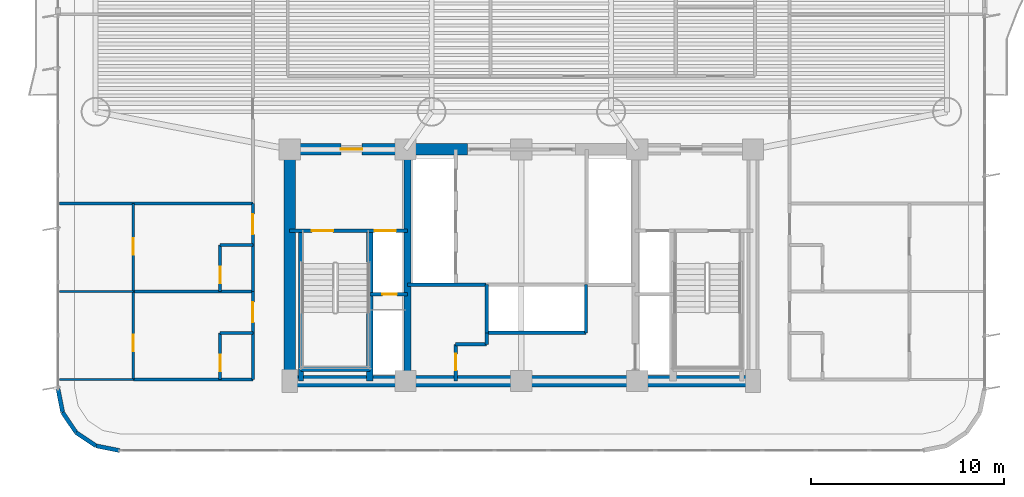
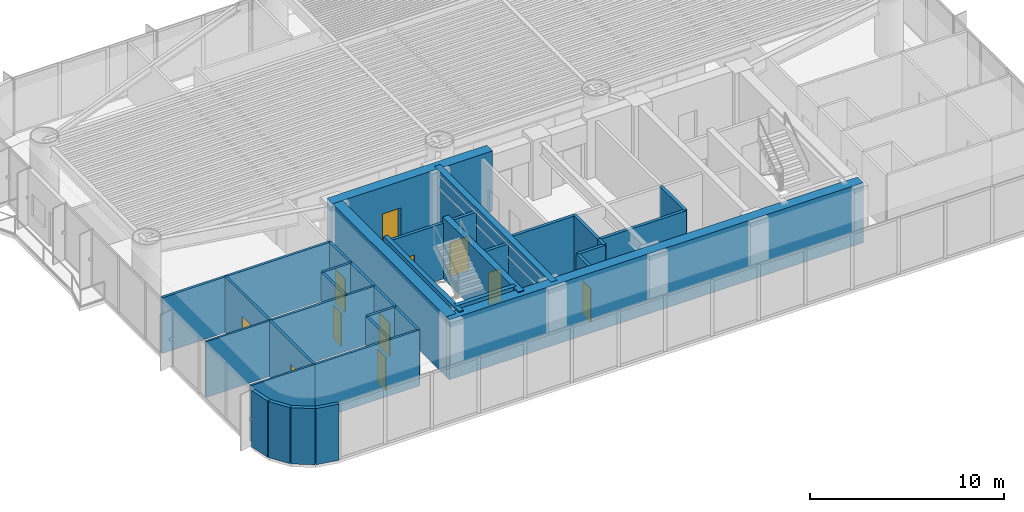
# One storey, part 10 of 17: 35 walls, 11 doors, 11 openings.
"""IFC4 building model written with IfcOpenShell, lengths in metres."""

from ifc_helpers import new_model, si_unit, direction, frame, frame_2d, origin, origin_2d, place, context, subcontext, project, spatial, rectangle, extrude, source, transform, mapped, material, layer, layer_set, type_object, element, fill, save


model = new_model("IFC4")

# Units and contexts
model_context = context("Model", 3, precision=1e-05, world=origin(), true_north=direction((0.0, 1.0)))
body_context = subcontext(model_context, "Body", "Model", "MODEL_VIEW")
ifc_project = project(units=[si_unit("LENGTHUNIT", "METRE"), si_unit("AREAUNIT", "SQUARE_METRE"), si_unit("VOLUMEUNIT", "CUBIC_METRE"), si_unit("PLANEANGLEUNIT", "RADIAN"), si_unit("MASSUNIT", "GRAM", prefix="KILO")], contexts=[model_context])

# Site, building, storey
site_placement = place(None, origin())
site = spatial("IfcSite", under=ifc_project, at=site_placement, CompositionType="ELEMENT")
building_placement = place(site_placement, origin())
building = spatial("IfcBuilding", under=site, at=building_placement, Name="Brelvock Crest Care Tower", CompositionType="ELEMENT")
storey_placement = place(building_placement, frame((0.0, 0.0, 53.4599609375)))
storey = spatial("IfcBuildingStorey", under=building, at=storey_placement, Name="L13", CompositionType="ELEMENT", Elevation=53.4599609375)

# Walls
ifc_material_1 = material(Name="Concrete S80 (80 MPa)", Category="concrete")
ifc_layer_1 = layer(ifc_material_1, 0.60009765625, Name="WL-CS1")
ifc_layer_set_1 = layer_set([ifc_layer_1], Name="Concrete S80 (80 MPa)")
wall_type_1 = type_object("IfcWallType", Name="WL-CS1", PredefinedType="SHEAR", material=ifc_layer_set_1)
wall_1_placement = place(storey_placement, frame((48.300048828125, 6.0, 0.0), z_axis=(0.0, 0.0, 1.0), x_axis=(-1.0, 0.0, 0.0)))
element("IfcWall", 1, at=wall_1_placement, inside=storey, type_object=wall_type_1, Name="L13 Core South Shear Wall", PredefinedType="SHEAR", context=body_context, shape_type="SweptSolid", body=[
    extrude(rectangle(XDim=24.60009765625, YDim=0.60009765625, at=frame_2d((12.300048828125, 0.0))), origin(), (0.0, 0.0, 1.0), 3.780029296875),
])
wall_2_placement = place(storey_placement, frame((24.0, 6.0, 0.0), z_axis=(0.0, 0.0, 1.0), x_axis=(0.0, 1.0, 0.0)))
element("IfcWall", 2, at=wall_2_placement, inside=storey, type_object=wall_type_1, Name="L13 Core West Shear Wall", PredefinedType="SHEAR", context=body_context, shape_type="SweptSolid", body=[
    extrude(rectangle(XDim=12.0, YDim=0.60009765625, at=frame_2d((6.0, 0.0))), origin(), (0.0, 0.0, 1.0), 3.780029296875),
])

# Wall, opening, door
wall_3_placement = place(storey_placement, frame((23.699951171875, 18.0, 0.0), z_axis=(0.0, 0.0, 1.0), x_axis=(1.0, 0.0, 0.0)))
wall_3 = element("IfcWall", 3, at=wall_3_placement, inside=storey, type_object=wall_type_1, Name="L13 Core North-West Shear Wall", PredefinedType="SHEAR", context=body_context, shape_type="SweptSolid", body=[
    extrude(rectangle(XDim=9.5, YDim=0.60009765625, at=frame_2d((4.75, 0.0))), origin(), (0.0, 0.0, 1.0), 3.780029296875),
])
opening_1_placement = place(wall_3_placement, frame((2.949951171875, 0.0, 0.0)))
opening_1 = element("IfcOpeningElement", 4, at=opening_1_placement, cuts=wall_3, Name="Opening FD-1", PredefinedType="OPENING", context=body_context, shape_type="SweptSolid", body=[
    extrude(rectangle(XDim=1.10009765625, YDim=2.10009765625, at=origin_2d()), frame((0.550048828125, 0.31005859375, 1.050048828125), z_axis=(0.0, -1.0, 0.0), x_axis=(1.0, 0.0, 0.0)), (0.0, 0.0, 1.0), 0.6201171875),
])
ifc_material_2 = material(Name="Steel Grade 350", Category="steel")
door_type_1 = type_object("IfcDoorType", Name="DR-FFL1", OperationType="NOTDEFINED", PredefinedType="DOOR", material=ifc_material_2)
shared_shape_1 = source(origin(), body_context, "Body", "SweptSolid", [
    extrude(rectangle(XDim=1.10009765625, YDim=2.10009765625, at=origin_2d()), frame((0.550048828125, 0.02490234375, 1.050048828125), z_axis=(0.0, -1.0, 0.0), x_axis=(1.0, 0.0, 0.0)), (0.0, 0.0, 1.0), 0.050048828125),
])
door_1_placement = place(opening_1_placement, origin())
door_1 = element("IfcDoor", 5, at=door_1_placement, inside=storey, type_object=door_type_1, Name="L13 Firefighting Lobby FFL-1 Exit Door", OperationType="SINGLE_SWING_LEFT", OverallHeight=2.10009765625, OverallWidth=1.10009765625, PredefinedType="DOOR", context=body_context, shape_type="MappedRepresentation", body=[
    mapped(shared_shape_1, transform((0.0, 0.0, 0.0), x_axis=(1.0, 0.0, 0.0), y_axis=(0.0, 1.0, 0.0), z_axis=(0.0, 0.0, 1.0), scale=1.0)),
])
fill(opening_1, door_1)

# Walls
ifc_layer_2 = layer(ifc_material_1, 0.35009765625, Name="WL-CS5")
ifc_layer_set_2 = layer_set([ifc_layer_2], Name="Concrete S80 (80 MPa)")
wall_type_2 = type_object("IfcWallType", Name="WL-CS5", PredefinedType="SHEAR", material=ifc_layer_set_2)
wall_4_placement = place(storey_placement, frame((30.10009765625, 6.0, 0.0), z_axis=(0.0, 0.0, 1.0), x_axis=(0.0, 1.0, 0.0)))
element("IfcWall", 6, at=wall_4_placement, inside=storey, type_object=wall_type_2, Name="L13 Core Internal Web Wall West", PredefinedType="SHEAR", context=body_context, shape_type="SweptSolid", body=[
    extrude(rectangle(XDim=12.0, YDim=0.35009765625, at=frame_2d((6.0, 0.0))), origin(), (0.0, 0.0, 1.0), 3.780029296875),
])
wall_5_placement = place(storey_placement, frame((28.14990234375, 6.0, 0.0), z_axis=(0.0, 0.0, 1.0), x_axis=(0.0, 1.0, 0.0)))
element("IfcWall", 7, at=wall_5_placement, inside=storey, type_object=wall_type_2, Name="L13 Core Stair ST-1 East Shear Wall", PredefinedType="SHEAR", context=body_context, shape_type="SweptSolid", body=[
    extrude(rectangle(XDim=7.780029296875, YDim=0.35009765625, at=frame_2d((3.89013671875, 0.0))), origin(), (0.0, 0.0, 1.0), 3.85009765625),
])
ifc_layer_3 = layer(ifc_material_1, 0.25, Name="WL-CS6")
ifc_layer_set_3 = layer_set([ifc_layer_3], Name="Concrete S80 (80 MPa)")
wall_type_3 = type_object("IfcWallType", Name="WL-CS6", PredefinedType="SHEAR", material=ifc_layer_set_3)
wall_6_placement = place(storey_placement, frame((24.580078125, 6.0, 0.0), z_axis=(0.0, 0.0, 1.0), x_axis=(0.0, 1.0, 0.0)))
element("IfcWall", 8, at=wall_6_placement, inside=storey, type_object=wall_type_3, Name="L13 Core Stair ST-1 West Shear Wall", PredefinedType="SHEAR", context=body_context, shape_type="SweptSolid", body=[
    extrude(rectangle(XDim=7.780029296875, YDim=0.25, at=frame_2d((3.89013671875, 0.0))), origin(), (0.0, 0.0, 1.0), 3.85009765625),
])
wall_7_placement = place(storey_placement, frame((24.580078125, 6.6201171875, 0.0), z_axis=(0.0, 0.0, 1.0), x_axis=(1.0, 0.0, 0.0)))
element("IfcWall", 9, at=wall_7_placement, inside=storey, type_object=wall_type_3, Name="L13 Core Stair ST-1 South Shear Wall", PredefinedType="SHEAR", context=body_context, shape_type="SweptSolid", body=[
    extrude(rectangle(XDim=3.56982421875, YDim=0.25, at=frame_2d((1.784912109375, 0.0))), origin(), (0.0, 0.0, 1.0), 3.85009765625),
])
ifc_material_3 = material(Name="Precast concrete N40 (40 MPa)", Category="concrete")
ifc_layer_4 = layer(ifc_material_3, 0.215087890625, Name="WL-EX2")
ifc_layer_set_4 = layer_set([ifc_layer_4], Name="Precast concrete N40 (40 MPa)")
wall_type_4 = type_object("IfcWallType", Name="WL-EX2", PredefinedType="SOLIDWALL", material=ifc_layer_set_4)
for number, where, z_axis, x_axis, name in (
    (10, (15.199951171875, 2.39990234375, 0.0), (0.0, 0.0, 1.0), (-0.980775717779, 0.195138390419, 0.0), "L13 Rounded Corner Wall 09"),
    (11, (13.975341796875, 2.6435546875, 0.0), (0.0, 0.0, 1.0), (-0.831387912822, 0.555692485475, 0.0), "L13 Rounded Corner Wall 10"),
    (12, (12.937255859375, 3.33740234375, 0.0), (0.0, 0.0, 1.0), (-0.555557312883, 0.831478245117, 0.0), "L13 Rounded Corner Wall 11"),
    (13, (12.24365234375, 4.37548828125, 0.0), (0.0, 0.0, 1.0), (-0.195138390419, 0.980775717779, 0.0), "L13 Rounded Corner Wall 12"),
):
    element("IfcWall", number, at=place(storey_placement, frame(where, z_axis=z_axis, x_axis=x_axis)), inside=storey, type_object=wall_type_4, Name=name, PredefinedType="SOLIDWALL", context=body_context, shape_type="SweptSolid", body=[
        extrude(rectangle(XDim=1.24853515625, YDim=0.215087890625, at=frame_2d((0.624267578125, 0.0))), origin(), (0.0, 0.0, 1.0), 3.530029296875),
    ])
ifc_material_4 = material(Name="Masonry Blockwork Acoustic Partition", Category="masonry")
ifc_layer_5 = layer(ifc_material_4, 0.14990234375, Name="WL-INT1")
ifc_layer_set_5 = layer_set([ifc_layer_5], Name="Masonry Blockwork Acoustic Partition")
wall_type_5 = type_object("IfcWallType", Name="WL-INT1", PredefinedType="PARTITIONING", material=ifc_layer_set_5)
for number, where, z_axis, x_axis, name in (
    (14, (15.89990234375, 6.080078125, 0.0), (0.0, 0.0, 1.0), (1.0, 0.0, 0.0), "L13 Interior Wall WL-BX-L13-CS-WR1A-S"),
    (15, (15.89990234375, 10.639892578125, 0.0), (0.0, 0.0, 1.0), (1.0, 0.0, 0.0), "L13 Interior Wall WL-BX-L13-CS-WR1A-N"),
):
    element("IfcWall", number, at=place(storey_placement, frame(where, z_axis=z_axis, x_axis=x_axis)), inside=storey, type_object=wall_type_5, Name=name, PredefinedType="PARTITIONING", context=body_context, shape_type="SweptSolid", body=[
        extrude(rectangle(XDim=6.2001953125, YDim=0.14990234375, at=frame_2d((3.10009765625, 0.0))), origin(), (0.0, 0.0, 1.0), 3.5),
    ])
wall_8_placement = place(storey_placement, frame((12.080078125, 15.199951171875, 0.0), z_axis=(0.0, 0.0, 1.0), x_axis=(1.0, 0.0, 0.0)))
element("IfcWall", 16, at=wall_8_placement, inside=storey, type_object=wall_type_5, Name="L13 Interior Wall WL-BX-L13-WCL2-S", PredefinedType="PARTITIONING", context=body_context, shape_type="SweptSolid", body=[
    extrude(rectangle(XDim=10.02001953125, YDim=0.14990234375, at=frame_2d((5.010009765625, 0.0))), origin(), (0.0, 0.0, 1.0), 3.5),
])

# Wall, opening, door
wall_9_placement = place(storey_placement, frame((15.89990234375, 6.080078125, 0.0), z_axis=(0.0, 0.0, 1.0), x_axis=(0.0, 1.0, 0.0)))
wall_9 = element("IfcWall", 17, at=wall_9_placement, inside=storey, type_object=wall_type_5, Name="L13 Interior Wall WL-RM-L13-WR1AS", PredefinedType="PARTITIONING", context=body_context, shape_type="SweptSolid", body=[
    extrude(rectangle(XDim=4.559814453125, YDim=0.14990234375, at=frame_2d((2.27978515625, 0.0))), origin(), (0.0, 0.0, 1.0), 3.5),
])
opening_2_placement = place(wall_9_placement, frame((1.4599609375, 0.0, 0.0)))
opening_2 = element("IfcOpeningElement", 18, at=opening_2_placement, cuts=wall_9, Name="Opening ID-1", PredefinedType="OPENING", context=body_context, shape_type="SweptSolid", body=[
    extrude(rectangle(XDim=0.860107421875, YDim=2.10009765625, at=origin_2d()), frame((0.43017578125, 0.0849609375, 1.050048828125), z_axis=(0.0, -1.0, 0.0), x_axis=(1.0, 0.0, 0.0)), (0.0, 0.0, 1.0), 0.169921875),
])
ifc_material_5 = material(Name="Engineered Hardwood Timber", Category="wood")
door_type_2 = type_object("IfcDoorType", Name="DR-INT1", OperationType="NOTDEFINED", PredefinedType="DOOR", material=ifc_material_5)
shared_shape_2 = source(origin(), body_context, "Body", "SweptSolid", [
    extrude(rectangle(XDim=0.860107421875, YDim=2.10009765625, at=origin_2d()), frame((0.43017578125, 0.02490234375, 1.050048828125), z_axis=(0.0, -1.0, 0.0), x_axis=(1.0, 0.0, 0.0)), (0.0, 0.0, 1.0), 0.050048828125),
])
door_2_placement = place(opening_2_placement, origin())
door_2 = element("IfcDoor", 19, at=door_2_placement, inside=storey, type_object=door_type_2, Name="L13 Rehab Recovery Mobility Store Door WR1AS", OperationType="SINGLE_SWING_LEFT", OverallHeight=2.10009765625, OverallWidth=0.860107421875, PredefinedType="DOOR", context=body_context, shape_type="MappedRepresentation", body=[
    mapped(shared_shape_2, transform((0.0, 0.0, 0.0), x_axis=(1.0, 0.0, 0.0), y_axis=(0.0, 1.0, 0.0), z_axis=(0.0, 0.0, 1.0), scale=1.0)),
])
fill(opening_2, door_2)

wall_10_placement = place(storey_placement, frame((15.89990234375, 10.639892578125, 0.0), z_axis=(0.0, 0.0, 1.0), x_axis=(0.0, 1.0, 0.0)))
wall_10 = element("IfcWall", 20, at=wall_10_placement, inside=storey, type_object=wall_type_5, Name="L13 Interior Wall WL-RM-L13-WR1BS", PredefinedType="PARTITIONING", context=body_context, shape_type="SweptSolid", body=[
    extrude(rectangle(XDim=4.56005859375, YDim=0.14990234375, at=frame_2d((2.280029296875, 0.0))), origin(), (0.0, 0.0, 1.0), 3.5),
])
opening_3_placement = place(wall_10_placement, frame((1.89990234375, 0.0, 0.0)))
opening_3 = element("IfcOpeningElement", 21, at=opening_3_placement, cuts=wall_10, Name="Opening ID-1", PredefinedType="OPENING", context=body_context, shape_type="SweptSolid", body=[
    extrude(rectangle(XDim=0.860107421875, YDim=2.10009765625, at=origin_2d()), frame((0.43017578125, 0.0849609375, 1.050048828125), z_axis=(0.0, -1.0, 0.0), x_axis=(1.0, 0.0, 0.0)), (0.0, 0.0, 1.0), 0.169921875),
])
door_3_placement = place(opening_3_placement, origin())
door_3 = element("IfcDoor", 22, at=door_3_placement, inside=storey, type_object=door_type_2, Name="L13 Rehab Recovery Mobility Store Door WR1BS", OperationType="SINGLE_SWING_LEFT", OverallHeight=2.10009765625, OverallWidth=0.860107421875, PredefinedType="DOOR", context=body_context, shape_type="MappedRepresentation", body=[
    mapped(shared_shape_2, transform((0.0, 0.0, 0.0), x_axis=(1.0, 0.0, 0.0), y_axis=(0.0, 1.0, 0.0), z_axis=(0.0, 0.0, 1.0), scale=1.0)),
])
fill(opening_3, door_3)

wall_11_placement = place(storey_placement, frame((22.10009765625, 8.47998046875, 0.0), z_axis=(0.0, 0.0, 1.0), x_axis=(0.0, 1.0, 0.0)))
wall_11 = element("IfcWall", 23, at=wall_11_placement, inside=storey, type_object=wall_type_5, Name="L13 Interior Wall WL-CENT-L13-WR1A", PredefinedType="PARTITIONING", context=body_context, shape_type="SweptSolid", body=[
    extrude(rectangle(XDim=2.159912109375, YDim=0.14990234375, at=frame_2d((1.080078125, 0.0))), origin(), (0.0, 0.0, 1.0), 3.5),
])
opening_4_placement = place(wall_11_placement, frame((0.56005859375, 0.0, 0.0)))
opening_4 = element("IfcOpeningElement", 24, at=opening_4_placement, cuts=wall_11, Name="Opening CD-1", PredefinedType="OPENING", context=body_context, shape_type="SweptSolid", body=[
    extrude(rectangle(XDim=1.050048828125, YDim=2.10009765625, at=origin_2d()), frame((0.52490234375, 0.0849609375, 1.050048828125), z_axis=(0.0, -1.0, 0.0), x_axis=(1.0, 0.0, 0.0)), (0.0, 0.0, 1.0), 0.169921875),
])
door_type_3 = type_object("IfcDoorType", Name="DR-CARE1", OperationType="NOTDEFINED", PredefinedType="DOOR", material=ifc_material_5)
shared_shape_3 = source(origin(), body_context, "Body", "SweptSolid", [
    extrude(rectangle(XDim=1.050048828125, YDim=2.10009765625, at=origin_2d()), frame((0.52490234375, 0.02490234375, 1.050048828125), z_axis=(0.0, -1.0, 0.0), x_axis=(1.0, 0.0, 0.0)), (0.0, 0.0, 1.0), 0.050048828125),
])
door_4_placement = place(opening_4_placement, origin())
door_4 = element("IfcDoor", 25, at=door_4_placement, inside=storey, type_object=door_type_3, Name="L13 Care Suite Door WR1A", OperationType="SINGLE_SWING_LEFT", OverallHeight=2.10009765625, OverallWidth=1.050048828125, PredefinedType="DOOR", context=body_context, shape_type="MappedRepresentation", body=[
    mapped(shared_shape_3, transform((0.0, 0.0, 0.0), x_axis=(1.0, 0.0, 0.0), y_axis=(0.0, 1.0, 0.0), z_axis=(0.0, 0.0, 1.0), scale=1.0)),
])
fill(opening_4, door_4)

wall_12_placement = place(storey_placement, frame((22.10009765625, 13.0400390625, 0.0), z_axis=(0.0, 0.0, 1.0), x_axis=(0.0, 1.0, 0.0)))
wall_12 = element("IfcWall", 26, at=wall_12_placement, inside=storey, type_object=wall_type_5, Name="L13 Interior Wall WL-CENT-L13-WR1B", PredefinedType="PARTITIONING", context=body_context, shape_type="SweptSolid", body=[
    extrude(rectangle(XDim=2.159912109375, YDim=0.14990234375, at=frame_2d((1.080078125, 0.0))), origin(), (0.0, 0.0, 1.0), 3.5),
])
opening_5_placement = place(wall_12_placement, frame((0.56005859375, 0.0, 0.0)))
opening_5 = element("IfcOpeningElement", 27, at=opening_5_placement, cuts=wall_12, Name="Opening CD-1", PredefinedType="OPENING", context=body_context, shape_type="SweptSolid", body=[
    extrude(rectangle(XDim=1.050048828125, YDim=2.10009765625, at=origin_2d()), frame((0.52490234375, 0.0849609375, 1.050048828125), z_axis=(0.0, -1.0, 0.0), x_axis=(1.0, 0.0, 0.0)), (0.0, 0.0, 1.0), 0.169921875),
])
door_5_placement = place(opening_5_placement, origin())
door_5 = element("IfcDoor", 28, at=door_5_placement, inside=storey, type_object=door_type_3, Name="L13 Care Suite Door WR1B", OperationType="SINGLE_SWING_LEFT", OverallHeight=2.10009765625, OverallWidth=1.050048828125, PredefinedType="DOOR", context=body_context, shape_type="MappedRepresentation", body=[
    mapped(shared_shape_3, transform((0.0, 0.0, 0.0), x_axis=(1.0, 0.0, 0.0), y_axis=(0.0, 1.0, 0.0), z_axis=(0.0, 0.0, 1.0), scale=1.0)),
])
fill(opening_5, door_5)

# Walls
ifc_material_6 = material(Name="Gypsum Plasterboard Partition", Category="gypsum")
ifc_layer_6 = layer(ifc_material_6, 0.1201171875, Name="WL-INT2")
ifc_layer_set_6 = layer_set([ifc_layer_6], Name="Gypsum Plasterboard Partition")
wall_type_6 = type_object("IfcWallType", Name="WL-INT2", PredefinedType="PARTITIONING", material=ifc_layer_set_6)
for number, where, z_axis, x_axis, name in (
    (29, (12.080078125, 6.080078125, 0.0), (0.0, 0.0, 1.0), (1.0, 0.0, 0.0), "L13 Interior Wall WL-BX-L13-WR1AS-S"),
    (30, (12.080078125, 10.639892578125, 0.0), (0.0, 0.0, 1.0), (1.0, 0.0, 0.0), "L13 Interior Wall WL-BX-L13-WR1AS-N"),
):
    element("IfcWall", number, at=place(storey_placement, frame(where, z_axis=z_axis, x_axis=x_axis)), inside=storey, type_object=wall_type_6, Name=name, PredefinedType="PARTITIONING", context=body_context, shape_type="SweptSolid", body=[
        extrude(rectangle(XDim=3.81982421875, YDim=0.1201171875, at=frame_2d((1.909912109375, 0.0))), origin(), (0.0, 0.0, 1.0), 3.5),
    ])
ifc_layer_7 = layer(ifc_material_6, 0.159912109375, Name="WL-PLM1")
ifc_layer_set_7 = layer_set([ifc_layer_7], Name="Gypsum Plasterboard Partition")
wall_type_7 = type_object("IfcWallType", Name="WL-PLM1", PredefinedType="PLUMBINGWALL", material=ifc_layer_set_7)
for number, where, z_axis, x_axis, name in (
    (31, (20.39990234375, 8.47998046875, 0.0), (0.0, 0.0, 1.0), (1.0, 0.0, 0.0), "L13 Interior Wall WL-CENS2-L13-WR1A"),
    (32, (20.39990234375, 13.0400390625, 0.0), (0.0, 0.0, 1.0), (1.0, 0.0, 0.0), "L13 Interior Wall WL-CENS2-L13-WR1B"),
):
    element("IfcWall", number, at=place(storey_placement, frame(where, z_axis=z_axis, x_axis=x_axis)), inside=storey, type_object=wall_type_7, Name=name, PredefinedType="PLUMBINGWALL", context=body_context, shape_type="SweptSolid", body=[
        extrude(rectangle(XDim=1.7001953125, YDim=0.159912109375, at=frame_2d((0.85009765625, 0.0))), origin(), (0.0, 0.0, 1.0), 3.5),
    ])

# Wall, opening, door
wall_13_placement = place(storey_placement, frame((20.39990234375, 6.080078125, 0.0), z_axis=(0.0, 0.0, 1.0), x_axis=(0.0, 1.0, 0.0)))
wall_13 = element("IfcWall", 33, at=wall_13_placement, inside=storey, type_object=wall_type_7, Name="L13 Interior Wall WL-CENS1-L13-WR1A", PredefinedType="PLUMBINGWALL", context=body_context, shape_type="SweptSolid", body=[
    extrude(rectangle(XDim=2.39990234375, YDim=0.159912109375, at=frame_2d((1.199951171875, 0.0))), origin(), (0.0, 0.0, 1.0), 3.5),
])
opening_6_placement = place(wall_13_placement, frame((0.419921875, 0.0, 0.0)))
opening_6 = element("IfcOpeningElement", 34, at=opening_6_placement, cuts=wall_13, Name="Opening WD-1", PredefinedType="OPENING", context=body_context, shape_type="SweptSolid", body=[
    extrude(rectangle(XDim=0.860107421875, YDim=2.10009765625, at=origin_2d()), frame((0.43017578125, 0.08984375, 1.050048828125), z_axis=(0.0, -1.0, 0.0), x_axis=(1.0, 0.0, 0.0)), (0.0, 0.0, 1.0), 0.179931640625),
])
door_type_4 = type_object("IfcDoorType", Name="DR-WC1", OperationType="NOTDEFINED", PredefinedType="DOOR", material=ifc_material_5)
shared_shape_4 = source(origin(), body_context, "Body", "SweptSolid", [
    extrude(rectangle(XDim=0.860107421875, YDim=2.10009765625, at=origin_2d()), frame((0.43017578125, 0.02490234375, 1.050048828125), z_axis=(0.0, -1.0, 0.0), x_axis=(1.0, 0.0, 0.0)), (0.0, 0.0, 1.0), 0.050048828125),
])
door_6_placement = place(opening_6_placement, origin())
door_6 = element("IfcDoor", 35, at=door_6_placement, inside=storey, type_object=door_type_4, Name="L13 Care En-Suite Door WR1A", OperationType="SINGLE_SWING_LEFT", OverallHeight=2.10009765625, OverallWidth=0.860107421875, PredefinedType="DOOR", context=body_context, shape_type="MappedRepresentation", body=[
    mapped(shared_shape_4, transform((0.0, 0.0, 0.0), x_axis=(1.0, 0.0, 0.0), y_axis=(0.0, 1.0, 0.0), z_axis=(0.0, 0.0, 1.0), scale=1.0)),
])
fill(opening_6, door_6)

wall_14_placement = place(storey_placement, frame((20.39990234375, 10.639892578125, 0.0), z_axis=(0.0, 0.0, 1.0), x_axis=(0.0, 1.0, 0.0)))
wall_14 = element("IfcWall", 36, at=wall_14_placement, inside=storey, type_object=wall_type_7, Name="L13 Interior Wall WL-CENS1-L13-WR1B", PredefinedType="PLUMBINGWALL", context=body_context, shape_type="SweptSolid", body=[
    extrude(rectangle(XDim=2.400146484375, YDim=0.159912109375, at=frame_2d((1.2001953125, 0.0))), origin(), (0.0, 0.0, 1.0), 3.5),
])
opening_7_placement = place(wall_14_placement, frame((0.419921875, 0.0, 0.0)))
opening_7 = element("IfcOpeningElement", 37, at=opening_7_placement, cuts=wall_14, Name="Opening WD-1", PredefinedType="OPENING", context=body_context, shape_type="SweptSolid", body=[
    extrude(rectangle(XDim=0.860107421875, YDim=2.10009765625, at=origin_2d()), frame((0.43017578125, 0.08984375, 1.050048828125), z_axis=(0.0, -1.0, 0.0), x_axis=(1.0, 0.0, 0.0)), (0.0, 0.0, 1.0), 0.179931640625),
])
door_7_placement = place(opening_7_placement, origin())
door_7 = element("IfcDoor", 38, at=door_7_placement, inside=storey, type_object=door_type_4, Name="L13 Care En-Suite Door WR1B", OperationType="SINGLE_SWING_LEFT", OverallHeight=2.10009765625, OverallWidth=0.860107421875, PredefinedType="DOOR", context=body_context, shape_type="MappedRepresentation", body=[
    mapped(shared_shape_4, transform((0.0, 0.0, 0.0), x_axis=(1.0, 0.0, 0.0), y_axis=(0.0, 1.0, 0.0), z_axis=(0.0, 0.0, 1.0), scale=1.0)),
])
fill(opening_7, door_7)

# Walls
wall_15_placement = place(storey_placement, frame((22.10009765625, 6.080078125, 0.0), z_axis=(0.0, 0.0, 1.0), x_axis=(0.0, 1.0, 0.0)))
element("IfcWall", 39, at=wall_15_placement, inside=storey, type_object=wall_type_7, Name="L13 Interior Wall WL-CENS0-L13-WR1A", PredefinedType="PLUMBINGWALL", context=body_context, shape_type="SweptSolid", body=[
    extrude(rectangle(XDim=2.39990234375, YDim=0.159912109375, at=frame_2d((1.199951171875, 0.0))), origin(), (0.0, 0.0, 1.0), 3.5),
])
wall_16_placement = place(storey_placement, frame((22.10009765625, 10.639892578125, 0.0), z_axis=(0.0, 0.0, 1.0), x_axis=(0.0, 1.0, 0.0)))
element("IfcWall", 40, at=wall_16_placement, inside=storey, type_object=wall_type_7, Name="L13 Interior Wall WL-CENS0-L13-WR1B", PredefinedType="PLUMBINGWALL", context=body_context, shape_type="SweptSolid", body=[
    extrude(rectangle(XDim=2.400146484375, YDim=0.159912109375, at=frame_2d((1.2001953125, 0.0))), origin(), (0.0, 0.0, 1.0), 3.5),
])
ifc_layer_8 = layer(ifc_material_4, 0.179931640625, Name="WL-SHF1")
ifc_layer_set_8 = layer_set([ifc_layer_8], Name="Masonry Blockwork Acoustic Partition")
wall_type_8 = type_object("IfcWallType", Name="WL-SHF1", PredefinedType="PARTITIONING", material=ifc_layer_set_8)
wall_17_placement = place(storey_placement, frame((34.199951171875, 8.5, 0.0), z_axis=(0.0, 0.0, 1.0), x_axis=(1.0, 0.0, 0.0)))
element("IfcWall", 41, at=wall_17_placement, inside=storey, type_object=wall_type_8, Name="L13 Interior Wall WL-PLM-S-L13", PredefinedType="PARTITIONING", context=body_context, shape_type="SweptSolid", body=[
    extrude(rectangle(XDim=5.150146484375, YDim=0.179931640625, at=frame_2d((2.5751953125, 0.0))), origin(), (0.0, 0.0, 1.0), 3.5),
])
for number, where, z_axis, x_axis, name in (
    (42, (34.199951171875, 8.5, 0.0), (0.0, 0.0, 1.0), (0.0, 1.0, 0.0), "L13 Interior Wall WL-PLM-W-L13"),
    (43, (39.35009765625, 8.5, 0.0), (0.0, 0.0, 1.0), (0.0, 1.0, 0.0), "L13 Interior Wall WL-PLM-E-L13"),
):
    element("IfcWall", number, at=place(storey_placement, frame(where, z_axis=z_axis, x_axis=x_axis)), inside=storey, type_object=wall_type_8, Name=name, PredefinedType="PARTITIONING", context=body_context, shape_type="SweptSolid", body=[
        extrude(rectangle(XDim=2.5, YDim=0.179931640625, at=frame_2d((1.25, 0.0))), origin(), (0.0, 0.0, 1.0), 3.5),
    ])
wall_18_placement = place(storey_placement, frame((30.10009765625, 10.97998046875, 0.0), z_axis=(0.0, 0.0, 1.0), x_axis=(1.0, 0.0, 0.0)))
element("IfcWall", 44, at=wall_18_placement, inside=storey, type_object=wall_type_8, Name="L13 Interior Wall WL-CSBW-N-L13", PredefinedType="PARTITIONING", context=body_context, shape_type="SweptSolid", body=[
    extrude(rectangle(XDim=4.079833984375, YDim=0.179931640625, at=frame_2d((2.0400390625, 0.0))), origin(), (0.0, 0.0, 1.0), 3.5),
])
wall_19_placement = place(storey_placement, frame((34.199951171875, 7.89990234375, 0.0), z_axis=(0.0, 0.0, 1.0), x_axis=(0.0, 1.0, 0.0)))
element("IfcWall", 45, at=wall_19_placement, inside=storey, type_object=wall_type_8, Name="L13 Interior Wall WL-CSBW-E2-L13", PredefinedType="PARTITIONING", context=body_context, shape_type="SweptSolid", body=[
    extrude(rectangle(XDim=0.60009765625, YDim=0.179931640625, at=frame_2d((0.300048828125, 0.0))), origin(), (0.0, 0.0, 1.0), 3.5),
])
wall_20_placement = place(storey_placement, frame((32.60009765625, 7.89990234375, 0.0), z_axis=(0.0, 0.0, 1.0), x_axis=(1.0, 0.0, 0.0)))
element("IfcWall", 46, at=wall_20_placement, inside=storey, type_object=wall_type_8, Name="L13 Interior Wall WL-CSBW-S2-L13", PredefinedType="PARTITIONING", context=body_context, shape_type="SweptSolid", body=[
    extrude(rectangle(XDim=1.599853515625, YDim=0.179931640625, at=frame_2d((0.7998046875, 0.0))), origin(), (0.0, 0.0, 1.0), 3.5),
])

# Wall, opening, door
wall_21_placement = place(storey_placement, frame((32.60009765625, 6.0, 0.0), z_axis=(0.0, 0.0, 1.0), x_axis=(0.0, 1.0, 0.0)))
wall_21 = element("IfcWall", 47, at=wall_21_placement, inside=storey, type_object=wall_type_8, Name="L13 Interior Wall WL-CSBW-E1-L13", PredefinedType="PARTITIONING", context=body_context, shape_type="SweptSolid", body=[
    extrude(rectangle(XDim=1.89990234375, YDim=0.179931640625, at=frame_2d((0.949951171875, 0.0))), origin(), (0.0, 0.0, 1.0), 3.5),
])
opening_8_placement = place(wall_21_placement, frame((0.550048828125, 0.0, 0.0)))
opening_8 = element("IfcOpeningElement", 48, at=opening_8_placement, cuts=wall_21, Name="Opening ID-1", PredefinedType="OPENING", context=body_context, shape_type="SweptSolid", body=[
    extrude(rectangle(XDim=0.860107421875, YDim=2.10009765625, at=origin_2d()), frame((0.43017578125, 0.10009765625, 1.050048828125), z_axis=(0.0, -1.0, 0.0), x_axis=(1.0, 0.0, 0.0)), (0.0, 0.0, 1.0), 0.199951171875),
])
door_8_placement = place(opening_8_placement, origin())
door_8 = element("IfcDoor", 49, at=door_8_placement, inside=storey, type_object=door_type_2, Name="DR-CSBW-L13", OperationType="SINGLE_SWING_LEFT", OverallHeight=2.10009765625, OverallWidth=0.860107421875, PredefinedType="DOOR", context=body_context, shape_type="MappedRepresentation", body=[
    mapped(shared_shape_2, transform((0.0, 0.0, 0.0), x_axis=(1.0, 0.0, 0.0), y_axis=(0.0, 1.0, 0.0), z_axis=(0.0, 0.0, 1.0), scale=1.0)),
])
fill(opening_8, door_8)

# Wall, openings, doors
wall_22_placement = place(storey_placement, frame((24.0, 13.780029296875, 0.0), z_axis=(0.0, 0.0, 1.0), x_axis=(1.0, 0.0, 0.0)))
wall_22 = element("IfcWall", 50, at=wall_22_placement, inside=storey, type_object=wall_type_8, Name="L13 Interior Wall WL-ST1-N-L13", PredefinedType="PARTITIONING", context=body_context, shape_type="SweptSolid", body=[
    extrude(rectangle(XDim=6.10009765625, YDim=0.179931640625, at=frame_2d((3.050048828125, 0.0))), origin(), (0.0, 0.0, 1.0), 3.5),
])
opening_9_placement = place(wall_22_placement, frame((1.14990234375, 0.0, 0.0)))
opening_9 = element("IfcOpeningElement", 51, at=opening_9_placement, cuts=wall_22, Name="Opening SD-1", PredefinedType="OPENING", context=body_context, shape_type="SweptSolid", body=[
    extrude(rectangle(XDim=1.10009765625, YDim=2.10009765625, at=origin_2d()), frame((0.550048828125, 0.10009765625, 1.050048828125), z_axis=(0.0, -1.0, 0.0), x_axis=(1.0, 0.0, 0.0)), (0.0, 0.0, 1.0), 0.199951171875),
])
opening_10_placement = place(wall_22_placement, frame((4.39990234375, 0.0, 0.0)))
opening_10 = element("IfcOpeningElement", 52, at=opening_10_placement, cuts=wall_22, Name="Opening LD", PredefinedType="OPENING", context=body_context, shape_type="SweptSolid", body=[
    extrude(rectangle(XDim=1.10009765625, YDim=2.10009765625, at=origin_2d()), frame((0.550048828125, 0.10009765625, 1.050048828125), z_axis=(0.0, -1.0, 0.0), x_axis=(1.0, 0.0, 0.0)), (0.0, 0.0, 1.0), 0.199951171875),
])
door_type_5 = type_object("IfcDoorType", Name="DR-ST1", OperationType="NOTDEFINED", PredefinedType="DOOR", material=ifc_material_2)
shared_shape_5 = source(origin(), body_context, "Body", "SweptSolid", [
    extrude(rectangle(XDim=1.10009765625, YDim=2.10009765625, at=origin_2d()), frame((0.550048828125, 0.02490234375, 1.050048828125), z_axis=(0.0, -1.0, 0.0), x_axis=(1.0, 0.0, 0.0)), (0.0, 0.0, 1.0), 0.050048828125),
])
door_9_placement = place(opening_9_placement, origin())
door_9 = element("IfcDoor", 53, at=door_9_placement, inside=storey, type_object=door_type_5, Name="L13 Fire Stair ST-1 Door", OperationType="SINGLE_SWING_LEFT", OverallHeight=2.10009765625, OverallWidth=1.10009765625, PredefinedType="DOOR", context=body_context, shape_type="MappedRepresentation", body=[
    mapped(shared_shape_5, transform((0.0, 0.0, 0.0), x_axis=(1.0, 0.0, 0.0), y_axis=(0.0, 1.0, 0.0), z_axis=(0.0, 0.0, 1.0), scale=1.0)),
])
fill(opening_9, door_9)
door_type_6 = type_object("IfcDoorType", Name="DR-LD1", OperationType="NOTDEFINED", PredefinedType="DOOR", material=ifc_material_2)
shared_shape_6 = source(origin(), body_context, "Body", "SweptSolid", [
    extrude(rectangle(XDim=1.10009765625, YDim=2.10009765625, at=origin_2d()), frame((0.550048828125, 0.02490234375, 1.050048828125), z_axis=(0.0, -1.0, 0.0), x_axis=(1.0, 0.0, 0.0)), (0.0, 0.0, 1.0), 0.050048828125),
])
door_10_placement = place(opening_10_placement, origin())
door_10 = element("IfcDoor", 54, at=door_10_placement, inside=storey, type_object=door_type_6, Name="L13 Firefighting Lift FFL-1 Landing Door", OperationType="SLIDING_TO_LEFT", OverallHeight=2.10009765625, OverallWidth=1.10009765625, PredefinedType="DOOR", context=body_context, shape_type="MappedRepresentation", body=[
    mapped(shared_shape_6, transform((0.0, 0.0, 0.0), x_axis=(1.0, 0.0, 0.0), y_axis=(0.0, 1.0, 0.0), z_axis=(0.0, 0.0, 1.0), scale=1.0)),
])
fill(opening_10, door_10)

# Wall, opening, door
wall_23_placement = place(storey_placement, frame((28.14990234375, 10.5, 0.0), z_axis=(0.0, 0.0, 1.0), x_axis=(1.0, 0.0, 0.0)))
wall_23 = element("IfcWall", 55, at=wall_23_placement, inside=storey, type_object=wall_type_8, Name="L13 Interior Wall WL-FFH1-S-L13", PredefinedType="PARTITIONING", context=body_context, shape_type="SweptSolid", body=[
    extrude(rectangle(XDim=1.9501953125, YDim=0.179931640625, at=frame_2d((0.97509765625, 0.0))), origin(), (0.0, 0.0, 1.0), 3.5),
])
opening_11_placement = place(wall_23_placement, frame((0.64990234375, 0.0, 0.0)))
opening_11 = element("IfcOpeningElement", 56, at=opening_11_placement, cuts=wall_23, Name="Opening RD-1", PredefinedType="OPENING", context=body_context, shape_type="SweptSolid", body=[
    extrude(rectangle(XDim=0.760009765625, YDim=2.050048828125, at=origin_2d()), frame((0.3798828125, 0.10009765625, 1.02490234375), z_axis=(0.0, -1.0, 0.0), x_axis=(1.0, 0.0, 0.0)), (0.0, 0.0, 1.0), 0.199951171875),
])
door_type_7 = type_object("IfcDoorType", Name="DR-RIS1", OperationType="NOTDEFINED", PredefinedType="DOOR", material=ifc_material_2)
shared_shape_7 = source(origin(), body_context, "Body", "SweptSolid", [
    extrude(rectangle(XDim=0.760009765625, YDim=2.050048828125, at=origin_2d()), frame((0.3798828125, 0.02490234375, 1.02490234375), z_axis=(0.0, -1.0, 0.0), x_axis=(1.0, 0.0, 0.0)), (0.0, 0.0, 1.0), 0.050048828125),
])
door_11_placement = place(opening_11_placement, origin())
door_11 = element("IfcDoor", 57, at=door_11_placement, inside=storey, type_object=door_type_7, Name="L13 Wet Fire Riser Access Door", OperationType="SINGLE_SWING_LEFT", OverallHeight=2.050048828125, OverallWidth=0.760009765625, PredefinedType="DOOR", context=body_context, shape_type="MappedRepresentation", body=[
    mapped(shared_shape_7, transform((0.0, 0.0, 0.0), x_axis=(1.0, 0.0, 0.0), y_axis=(0.0, 1.0, 0.0), z_axis=(0.0, 0.0, 1.0), scale=1.0)),
])
fill(opening_11, door_11)

save(model, "model.ifc")
